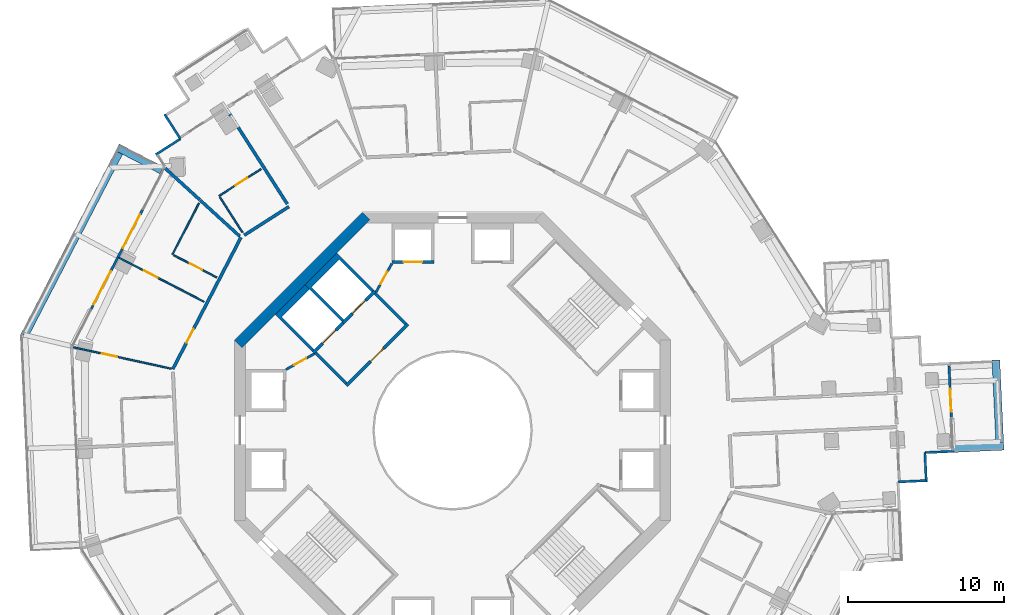
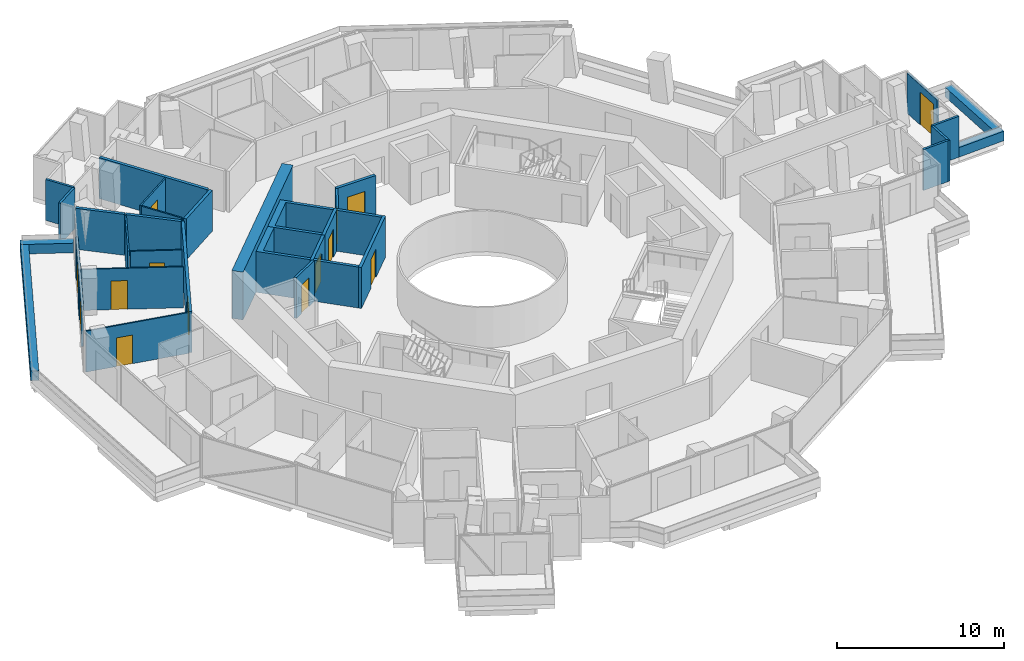
# One storey, part 17 of 22: 34 walls, 14 doors, 14 openings.
"""IFC4 building model written with IfcOpenShell, lengths in metres."""

from ifc_helpers import new_model, si_unit, direction, frame, frame_2d, origin, place, context, subcontext, project, spatial, polyline, rectangle, outline, extrude, material, layer, layer_set, type_object, element, fill, save


model = new_model("IFC4")

# Units and contexts
model_context = context("Model", 3, precision=1e-05, world=origin(), true_north=direction((0.0, 1.0)))
body_context = subcontext(model_context, "Body", "Model", "MODEL_VIEW")
ifc_project = project(units=[si_unit("LENGTHUNIT", "METRE"), si_unit("AREAUNIT", "SQUARE_METRE"), si_unit("VOLUMEUNIT", "CUBIC_METRE"), si_unit("PLANEANGLEUNIT", "RADIAN"), si_unit("MASSUNIT", "GRAM", prefix="KILO")], contexts=[model_context])

# Site, building, storey
site_placement = place(None, origin())
site = spatial("IfcSite", under=ifc_project, at=site_placement, CompositionType="ELEMENT")
building_placement = place(site_placement, origin())
building = spatial("IfcBuilding", under=site, at=building_placement, Name="Verdalira Terraces Hotel", CompositionType="ELEMENT")
storey_placement = place(building_placement, frame((0.0, 0.0, 165.5)))
storey = spatial("IfcBuildingStorey", under=building, at=storey_placement, Name="L40", CompositionType="ELEMENT", Elevation=165.5)

# Walls
ifc_material_1 = material(Name="Concrete C40", Category="concrete")
ifc_layer_1 = layer(ifc_material_1, 0.5)
ifc_layer_set_1 = layer_set([ifc_layer_1], Name="Balcony planter trough with tree")
wall_type_1 = type_object("IfcWallType", Name="Balcony planter trough with tree", PredefinedType="SOLIDWALL", material=ifc_layer_set_1)
wall_1_placement = place(storey_placement, frame((-18.67334, 16.699951, 0.0), z_axis=(0.0, 0.0, 1.0), x_axis=(-0.888128492, 0.459595237, 0.0)))
element("IfcWall", 1, at=wall_1_placement, inside=storey, type_object=wall_type_1, Name="Balcony planter", PredefinedType="SOLIDWALL", context=body_context, shape_type="SweptSolid", body=[
    extrude(rectangle(XDim=3.198975, YDim=0.5, at=frame_2d((1.599609, 0.0))), origin(), (0.0, 0.0, 1.0), 0.699951),
])
wall_2_placement = place(storey_placement, frame((-21.407227, 17.833252, 0.0), z_axis=(0.0, 0.0, 1.0), x_axis=(-0.459570076, -0.888141512, 0.0)))
element("IfcWall", 2, at=wall_2_placement, inside=storey, type_object=wall_type_1, Name="Balcony planter", PredefinedType="SOLIDWALL", context=body_context, shape_type="SweptSolid", body=[
    extrude(rectangle(XDim=13.223633, YDim=0.5, at=frame_2d((6.611816, 0.0))), origin(), (0.0, 0.0, 1.0), 0.699951),
])
wall_3_placement = place(storey_placement, frame((32.187744, -1.168701, 0.0), z_axis=(0.0, 0.0, 1.0), x_axis=(0.998936988, 0.046096565, 0.0)))
element("IfcWall", 3, at=wall_3_placement, inside=storey, type_object=wall_type_1, Name="Balcony planter", PredefinedType="SOLIDWALL", context=body_context, shape_type="SweptSolid", body=[
    extrude(rectangle(XDim=3.198975, YDim=0.5, at=frame_2d((1.599609, 0.0))), origin(), (0.0, 0.0, 1.0), 0.699951),
])
wall_4_placement = place(storey_placement, frame((35.12207, -0.783203, 0.0), z_axis=(0.0, 0.0, 1.0), x_axis=(-0.046063751, 0.998938502, 0.0)))
element("IfcWall", 4, at=wall_4_placement, inside=storey, type_object=wall_type_1, Name="Balcony planter", PredefinedType="SOLIDWALL", context=body_context, shape_type="SweptSolid", body=[
    extrude(rectangle(XDim=5.300049, YDim=0.5, at=frame_2d((2.649902, 0.0))), origin(), (0.0, 0.0, 1.0), 0.699951),
])

# Wall, opening, door
ifc_material_2 = material(Name="Moisture-resistant gypsum board partition")
ifc_layer_2 = layer(ifc_material_2, 0.10009765625)
ifc_layer_set_2 = layer_set([ifc_layer_2], Name="Bathroom partition 100 mm")
wall_type_2 = type_object("IfcWallType", Name="Bathroom partition 100 mm", PredefinedType="PARTITIONING", material=ifc_layer_set_2)
wall_5_placement = place(storey_placement, frame((-18.059814, 3.95752, 0.0), z_axis=(0.0, 0.0, 1.0), x_axis=(-0.976827652, 0.214027425, 0.0)))
wall_5 = element("IfcWall", 5, at=wall_5_placement, inside=storey, type_object=wall_type_2, Name="Bathroom partition", PredefinedType="PARTITIONING", context=body_context, shape_type="SweptSolid", body=[
    extrude(rectangle(XDim=6.47583, YDim=0.100098, at=frame_2d((3.237793, 0.0))), origin(), (0.0, 0.0, 1.0), 3.0),
])
opening_1_placement = place(wall_5_placement, frame((3.550049, 0.0, 0.0)))
opening_1 = element("IfcOpeningElement", 6, at=opening_1_placement, cuts=wall_5, Name="Opening L40-108", PredefinedType="OPENING", context=body_context, shape_type="SweptSolid", body=[
    extrude(rectangle(XDim=1.0, YDim=2.100098, at=frame_2d((0.5, 1.050049))), frame((0.0, 0.060059, 0.0), z_axis=(0.0, -1.0, 0.0), x_axis=(1.0, 0.0, 0.0)), (0.0, 0.0, 1.0), 0.120117),
])
ifc_material_3 = material(Name="Timber door", Category="wood")
door_type_1 = type_object("IfcDoorType", Name="Suite internal door 1000 x 2100", OperationType="NOTDEFINED", PredefinedType="DOOR", material=ifc_material_3)
door_1_placement = place(opening_1_placement, origin())
door_1 = element("IfcDoor", 7, at=door_1_placement, inside=storey, type_object=door_type_1, Name="Suite internal door 4002", OperationType="SINGLE_SWING_LEFT", OverallHeight=2.10009765625, OverallWidth=1.0, PredefinedType="DOOR", context=body_context, shape_type="SweptSolid", body=[
    extrude(rectangle(XDim=1.0, YDim=2.100098, at=frame_2d((0.5, 1.050049))), frame((0.0, 0.024902, 0.0), z_axis=(0.0, -1.0, 0.0), x_axis=(1.0, 0.0, 0.0)), (0.0, 0.0, 1.0), 0.050049),
])
fill(opening_1, door_1)

wall_6_placement = place(storey_placement, frame((-21.411621, 11.07959, 0.0), z_axis=(0.0, 0.0, 1.0), x_axis=(0.888156748, -0.45954063, 0.0)))
wall_6 = element("IfcWall", 8, at=wall_6_placement, inside=storey, type_object=wall_type_2, Name="Bathroom partition", PredefinedType="PARTITIONING", context=body_context, shape_type="SweptSolid", body=[
    extrude(rectangle(XDim=6.149902, YDim=0.100098, at=frame_2d((3.074951, 0.0))), origin(), (0.0, 0.0, 1.0), 3.0),
])
opening_2_placement = place(wall_6_placement, frame((1.800049, 0.0, 0.0)))
opening_2 = element("IfcOpeningElement", 9, at=opening_2_placement, cuts=wall_6, Name="Opening L40-107", PredefinedType="OPENING", context=body_context, shape_type="SweptSolid", body=[
    extrude(rectangle(XDim=1.0, YDim=2.100098, at=frame_2d((0.5, 1.050049))), frame((0.0, 0.060059, 0.0), z_axis=(0.0, -1.0, 0.0), x_axis=(1.0, 0.0, 0.0)), (0.0, 0.0, 1.0), 0.120117),
])
door_2_placement = place(opening_2_placement, origin())
door_2 = element("IfcDoor", 10, at=door_2_placement, inside=storey, type_object=door_type_1, Name="Suite internal door 4002", OperationType="SINGLE_SWING_LEFT", OverallHeight=2.10009765625, OverallWidth=1.0, PredefinedType="DOOR", context=body_context, shape_type="SweptSolid", body=[
    extrude(rectangle(XDim=1.0, YDim=2.100098, at=frame_2d((0.5, 1.050049))), frame((0.0, 0.024902, 0.0), z_axis=(0.0, -1.0, 0.0), x_axis=(1.0, 0.0, 0.0)), (0.0, 0.0, 1.0), 0.050049),
])
fill(opening_2, door_2)

# Wall
wall_7_placement = place(storey_placement, frame((-16.281006, 14.575195, 0.0), z_axis=(0.0, 0.0, 1.0), x_axis=(-0.459614775, -0.888118381, 0.0)))
element("IfcWall", 11, at=wall_7_placement, inside=storey, type_object=wall_type_2, Name="Bathroom partition", PredefinedType="PARTITIONING", context=body_context, shape_type="SweptSolid", body=[
    extrude(rectangle(XDim=3.703857, YDim=0.100098, at=frame_2d((1.852051, 0.0))), origin(), (0.0, 0.0, 1.0), 3.0),
])

# Wall, opening, door
wall_8_placement = place(storey_placement, frame((-17.894531, 11.239502, 0.0), z_axis=(0.0, 0.0, 1.0), x_axis=(0.88815114, -0.459551468, 0.0)))
wall_8 = element("IfcWall", 12, at=wall_8_placement, inside=storey, type_object=wall_type_2, Name="Bathroom partition", PredefinedType="PARTITIONING", context=body_context, shape_type="SweptSolid", body=[
    extrude(rectangle(XDim=3.099854, YDim=0.100098, at=frame_2d((1.549805, 0.0))), origin(), (0.0, 0.0, 1.0), 3.0),
])
opening_3_placement = place(wall_8_placement, frame((1.149902, 0.0, 0.0)))
opening_3 = element("IfcOpeningElement", 13, at=opening_3_placement, cuts=wall_8, Name="Opening L40-109", PredefinedType="OPENING", context=body_context, shape_type="SweptSolid", body=[
    extrude(rectangle(XDim=0.899902, YDim=2.100098, at=frame_2d((0.449951, 1.050049))), frame((0.0, 0.060059, 0.0), z_axis=(0.0, -1.0, 0.0), x_axis=(1.0, 0.0, 0.0)), (0.0, 0.0, 1.0), 0.120117),
])
ifc_material_4 = material(Name="Timber door", Category="wood")
door_type_2 = type_object("IfcDoorType", Name="Bathroom door 900 x 2100", OperationType="NOTDEFINED", PredefinedType="DOOR", material=ifc_material_4)
door_3_placement = place(opening_3_placement, origin())
door_3 = element("IfcDoor", 14, at=door_3_placement, inside=storey, type_object=door_type_2, Name="Bathroom door 4002", OperationType="SINGLE_SWING_LEFT", OverallHeight=2.10009765625, OverallWidth=0.89990234375, PredefinedType="DOOR", context=body_context, shape_type="SweptSolid", body=[
    extrude(rectangle(XDim=0.899902, YDim=2.100098, at=frame_2d((0.449951, 1.050049))), frame((0.0, 0.024902, 0.0), z_axis=(0.0, -1.0, 0.0), x_axis=(1.0, 0.0, 0.0)), (0.0, 0.0, 1.0), 0.050049),
])
fill(opening_3, door_3)

# Wall
wall_9_placement = place(storey_placement, frame((-14.931641, 14.96875, 0.0), z_axis=(0.0, 0.0, 1.0), x_axis=(0.539394933, -0.842052912, 0.0)))
element("IfcWall", 15, at=wall_9_placement, inside=storey, type_object=wall_type_2, Name="Bathroom partition", PredefinedType="PARTITIONING", context=body_context, shape_type="SweptSolid", body=[
    extrude(rectangle(XDim=2.699951, YDim=0.100098, at=frame_2d((1.350098, 0.0))), origin(), (0.0, 0.0, 1.0), 3.0),
])

# Wall, opening, door
wall_10_placement = place(storey_placement, frame((-12.291016, 16.778809, 0.0), z_axis=(0.0, 0.0, 1.0), x_axis=(-0.842087061, -0.539341618, 0.0)))
wall_10 = element("IfcWall", 16, at=wall_10_placement, inside=storey, type_object=wall_type_2, Name="Bathroom partition", PredefinedType="PARTITIONING", context=body_context, shape_type="SweptSolid", body=[
    extrude(rectangle(XDim=3.199951, YDim=0.100098, at=frame_2d((1.600098, 0.0))), origin(), (0.0, 0.0, 1.0), 3.0),
])
opening_4_placement = place(wall_10_placement, frame((1.050049, 0.0, 0.0)))
opening_4 = element("IfcOpeningElement", 17, at=opening_4_placement, cuts=wall_10, Name="Opening L40-105", PredefinedType="OPENING", context=body_context, shape_type="SweptSolid", body=[
    extrude(rectangle(XDim=0.899902, YDim=2.100098, at=frame_2d((0.449951, 1.050049))), frame((0.0, 0.060059, 0.0), z_axis=(0.0, -1.0, 0.0), x_axis=(1.0, 0.0, 0.0)), (0.0, 0.0, 1.0), 0.120117),
])
door_4_placement = place(opening_4_placement, origin())
door_4 = element("IfcDoor", 18, at=door_4_placement, inside=storey, type_object=door_type_2, Name="Bathroom door 4001", OperationType="SINGLE_SWING_RIGHT", OverallHeight=2.10009765625, OverallWidth=0.89990234375, PredefinedType="DOOR", context=body_context, shape_type="SweptSolid", body=[
    extrude(rectangle(XDim=0.899902, YDim=2.100098, at=frame_2d((0.449951, 1.050049))), frame((0.0, 0.024902, 0.0), z_axis=(0.0, -1.0, 0.0), x_axis=(1.0, 0.0, 0.0)), (0.0, 0.0, 1.0), 0.050049),
])
fill(opening_4, door_4)

ifc_material_5 = material(Name="Concrete C50", Category="concrete")
ifc_layer_3 = layer(ifc_material_5, 0.199951171875)
ifc_layer_set_3 = layer_set([ifc_layer_3], Name="Core RC wall 200 C50")
wall_type_3 = type_object("IfcWallType", Name="Core RC wall 200 C50", PredefinedType="SOLIDWALL", material=ifc_layer_set_3)
wall_11_placement = place(storey_placement, frame((-1.199951, 10.800049, 0.0), z_axis=(0.0, 0.0, 1.0), x_axis=(-1.0, 0.0, 0.0)))
wall_11 = element("IfcWall", 19, at=wall_11_placement, inside=storey, type_object=wall_type_3, Name="L40 shaft front wall N2", PredefinedType="SOLIDWALL", context=body_context, shape_type="SweptSolid", body=[
    extrude(rectangle(XDim=2.699951, YDim=0.199951, at=frame_2d((1.350098, 0.0))), origin(), (0.0, 0.0, 1.0), 3.0),
])
opening_5_placement = place(wall_11_placement, frame((0.75, 0.0, 0.0)))
opening_5 = element("IfcOpeningElement", 20, at=opening_5_placement, cuts=wall_11, Name="Opening LD-L40-804", PredefinedType="OPENING", context=body_context, shape_type="SweptSolid", body=[
    extrude(rectangle(XDim=1.199951, YDim=2.100098, at=frame_2d((0.600098, 1.050049))), frame((0.0, 0.109863, 0.0), z_axis=(0.0, -1.0, 0.0), x_axis=(1.0, 0.0, 0.0)), (0.0, 0.0, 1.0), 0.219971),
])
ifc_material_6 = material(Name="Stainless steel", Category="steel")
door_type_3 = type_object("IfcDoorType", Name="Landing door 1200 x 2100", OperationType="NOTDEFINED", PredefinedType="DOOR", material=ifc_material_6)
door_5_placement = place(opening_5_placement, origin())
door_5 = element("IfcDoor", 21, at=door_5_placement, inside=storey, type_object=door_type_3, Name="Lift landing door LR4 L40", OperationType="DOUBLE_DOOR_SLIDING", OverallHeight=2.10009765625, OverallWidth=1.199951171875, PredefinedType="DOOR", context=body_context, shape_type="SweptSolid", body=[
    extrude(rectangle(XDim=1.199951, YDim=2.100098, at=frame_2d((0.600098, 1.050049))), frame((0.0, 0.024902, 0.0), z_axis=(0.0, -1.0, 0.0), x_axis=(1.0, 0.0, 0.0)), (0.0, 0.0, 1.0), 0.050049),
])
fill(opening_5, door_5)

# Wall
wall_12_placement = place(storey_placement, origin())
element("IfcWall", 22, at=wall_12_placement, inside=storey, type_object=wall_type_3, Name="L40 shaft wall F1", PredefinedType="SOLIDWALL", context=body_context, shape_type="SweptSolid", body=[
    extrude(outline(polyline([(-9.475098, 9.33374), (-7.424561, 11.384521), (-5.055908, 9.015625), (-5.197266, 8.874268), (-7.283203, 10.960205), (-9.051025, 9.192383), (-6.965088, 7.106445), (-7.106445, 6.965088), (-9.475098, 9.33374)])), origin(), (0.0, 0.0, 1.0), 3.0),
])

# Wall, opening, door
wall_13_placement = place(storey_placement, frame((-4.985107, 8.944824, 0.0), z_axis=(0.0, 0.0, 1.0), x_axis=(-0.707106781, -0.707106781, 0.0)))
wall_13 = element("IfcWall", 23, at=wall_13_placement, inside=storey, type_object=wall_type_3, Name="L40 shaft front wall F1", PredefinedType="SOLIDWALL", context=body_context, shape_type="SweptSolid", body=[
    extrude(rectangle(XDim=2.899902, YDim=0.199951, at=frame_2d((1.449951, 0.0))), origin(), (0.0, 0.0, 1.0), 3.0),
])
opening_6_placement = place(wall_13_placement, frame((0.850098, 0.0, 0.0)))
opening_6 = element("IfcOpeningElement", 24, at=opening_6_placement, cuts=wall_13, Name="Opening LD-L40-807", PredefinedType="OPENING", context=body_context, shape_type="SweptSolid", body=[
    extrude(rectangle(XDim=1.199951, YDim=2.100098, at=frame_2d((0.600098, 1.050049))), frame((0.0, 0.109863, 0.0), z_axis=(0.0, -1.0, 0.0), x_axis=(1.0, 0.0, 0.0)), (0.0, 0.0, 1.0), 0.219971),
])
door_6_placement = place(opening_6_placement, origin())
door_6 = element("IfcDoor", 25, at=door_6_placement, inside=storey, type_object=door_type_3, Name="Lift landing door LF11 L40", OperationType="DOUBLE_DOOR_SLIDING", OverallHeight=2.10009765625, OverallWidth=1.199951171875, PredefinedType="DOOR", context=body_context, shape_type="SweptSolid", body=[
    extrude(rectangle(XDim=1.199951, YDim=2.100098, at=frame_2d((0.600098, 1.050049))), frame((0.0, 0.024902, 0.0), z_axis=(0.0, -1.0, 0.0), x_axis=(1.0, 0.0, 0.0)), (0.0, 0.0, 1.0), 0.050049),
])
fill(opening_6, door_6)

# Wall
wall_14_placement = place(storey_placement, origin())
element("IfcWall", 26, at=wall_14_placement, inside=storey, type_object=wall_type_3, Name="L40 shaft wall F2", PredefinedType="SOLIDWALL", context=body_context, shape_type="SweptSolid", body=[
    extrude(outline(polyline([(-11.384521, 7.424561), (-9.475098, 9.33374), (-9.192383, 9.051025), (-10.960205, 7.283203), (-8.874268, 5.197266), (-9.015625, 5.055908), (-11.384521, 7.424561)])), origin(), (0.0, 0.0, 1.0), 3.0),
])

# Wall, opening, door
wall_15_placement = place(storey_placement, frame((-7.035645, 6.894287, 0.0), z_axis=(0.0, 0.0, 1.0), x_axis=(-0.707106781, -0.707106781, 0.0)))
wall_15 = element("IfcWall", 27, at=wall_15_placement, inside=storey, type_object=wall_type_3, Name="L40 shaft front wall F2", PredefinedType="SOLIDWALL", context=body_context, shape_type="SweptSolid", body=[
    extrude(rectangle(XDim=2.699951, YDim=0.199951, at=frame_2d((1.350098, 0.0))), origin(), (0.0, 0.0, 1.0), 3.0),
])
opening_7_placement = place(wall_15_placement, frame((0.649902, 0.0, 0.0)))
opening_7 = element("IfcOpeningElement", 28, at=opening_7_placement, cuts=wall_15, Name="Opening LD-L40-808", PredefinedType="OPENING", context=body_context, shape_type="SweptSolid", body=[
    extrude(rectangle(XDim=1.199951, YDim=2.100098, at=frame_2d((0.600098, 1.050049))), frame((0.0, 0.109863, 0.0), z_axis=(0.0, -1.0, 0.0), x_axis=(1.0, 0.0, 0.0)), (0.0, 0.0, 1.0), 0.219971),
])
door_7_placement = place(opening_7_placement, origin())
door_7 = element("IfcDoor", 29, at=door_7_placement, inside=storey, type_object=door_type_3, Name="Lift landing door LF12 L40", OperationType="DOUBLE_DOOR_SLIDING", OverallHeight=2.10009765625, OverallWidth=1.199951171875, PredefinedType="DOOR", context=body_context, shape_type="SweptSolid", body=[
    extrude(rectangle(XDim=1.199951, YDim=2.100098, at=frame_2d((0.600098, 1.050049))), frame((0.0, 0.024902, 0.0), z_axis=(0.0, -1.0, 0.0), x_axis=(1.0, 0.0, 0.0)), (0.0, 0.0, 1.0), 0.050049),
])
fill(opening_7, door_7)

wall_16_placement = place(storey_placement, frame((-2.86377, 6.823486, 0.0), z_axis=(0.0, 0.0, 1.0), x_axis=(-0.707106781, -0.707106781, 0.0)))
wall_16 = element("IfcWall", 30, at=wall_16_placement, inside=storey, type_object=wall_type_3, Name="L40 fire lobby wall", PredefinedType="SOLIDWALL", context=body_context, shape_type="SweptSolid", body=[
    extrude(rectangle(XDim=5.599854, YDim=0.199951, at=frame_2d((2.799805, 0.0))), origin(), (0.0, 0.0, 1.0), 3.0),
])
opening_8_placement = place(wall_16_placement, frame((2.199951, 0.0, 0.0)))
opening_8 = element("IfcOpeningElement", 31, at=opening_8_placement, cuts=wall_16, Name="Opening L40-819", PredefinedType="OPENING", context=body_context, shape_type="SweptSolid", body=[
    extrude(rectangle(XDim=1.199951, YDim=2.100098, at=frame_2d((0.600098, 1.050049))), frame((0.0, 0.109863, 0.0), z_axis=(0.0, -1.0, 0.0), x_axis=(1.0, 0.0, 0.0)), (0.0, 0.0, 1.0), 0.219971),
])
ifc_material_7 = material(Name="Steel fire door", Category="steel")
door_type_4 = type_object("IfcDoorType", Name="Lobby door 1200 x 2100", OperationType="NOTDEFINED", PredefinedType="DOOR", material=ifc_material_7)
door_8_placement = place(opening_8_placement, origin())
door_8 = element("IfcDoor", 32, at=door_8_placement, inside=storey, type_object=door_type_4, Name="Fire lobby door L40", OperationType="SINGLE_SWING_LEFT", OverallHeight=2.10009765625, OverallWidth=1.199951171875, PredefinedType="DOOR", context=body_context, shape_type="SweptSolid", body=[
    extrude(rectangle(XDim=1.199951, YDim=2.100098, at=frame_2d((0.600098, 1.050049))), frame((0.0, 0.024902, 0.0), z_axis=(0.0, -1.0, 0.0), x_axis=(1.0, 0.0, 0.0)), (0.0, 0.0, 1.0), 0.050049),
])
fill(opening_8, door_8)

# Walls
for number, where, z_axis, x_axis, name in (
    (33, (-3.005127, 6.823486, 0.0), (0.0, 0.0, 1.0), (-0.707106781, 0.707106781, 0.0), "L40 fire lobby wall"),
    (34, (-6.823486, 3.005127, 0.0), (0.0, 0.0, 1.0), (-0.707106781, 0.707106781, 0.0), "L40 fire lobby wall"),
):
    element("IfcWall", number, at=place(storey_placement, frame(where, z_axis=z_axis, x_axis=x_axis)), inside=storey, type_object=wall_type_3, Name=name, PredefinedType="SOLIDWALL", context=body_context, shape_type="SweptSolid", body=[
        extrude(rectangle(XDim=2.800049, YDim=0.199951, at=frame_2d((1.399902, 0.0))), origin(), (0.0, 0.0, 1.0), 3.0),
    ])

# Wall, opening, door
ifc_material_8 = material(Name="Gypsum board partition")
ifc_layer_4 = layer(ifc_material_8, 0.14990234375)
ifc_layer_set_4 = layer_set([ifc_layer_4], Name="Core partition 150 mm")
wall_type_4 = type_object("IfcWallType", Name="Core partition 150 mm", PredefinedType="PARTITIONING", material=ifc_layer_set_4)
wall_17_placement = place(storey_placement, frame((-3.899902, 10.699951, 0.0), z_axis=(0.0, 0.0, 1.0), x_axis=(-0.485692555, -0.874129705, 0.0)))
wall_17 = element("IfcWall", 35, at=wall_17_placement, inside=storey, type_object=wall_type_4, Name="Room partition L40", PredefinedType="PARTITIONING", context=body_context, shape_type="SweptSolid", body=[
    extrude(rectangle(XDim=2.088623, YDim=0.149902, at=frame_2d((1.044434, 0.0))), origin(), (0.0, 0.0, 1.0), 3.0),
])
opening_9_placement = place(wall_17_placement, frame((0.594238, 0.0, 0.0)))
opening_9 = element("IfcOpeningElement", 36, at=opening_9_placement, cuts=wall_17, Name="Opening L40-820", PredefinedType="OPENING", context=body_context, shape_type="SweptSolid", body=[
    extrude(rectangle(XDim=0.899902, YDim=2.100098, at=frame_2d((0.449951, 1.050049))), frame((0.0, 0.084961, 0.0), z_axis=(0.0, -1.0, 0.0), x_axis=(1.0, 0.0, 0.0)), (0.0, 0.0, 1.0), 0.169922),
])
ifc_material_9 = material(Name="Steel fire door", Category="steel")
door_type_5 = type_object("IfcDoorType", Name="Core room door 900 x 2100", OperationType="NOTDEFINED", PredefinedType="DOOR", material=ifc_material_9)
door_9_placement = place(opening_9_placement, origin())
door_9 = element("IfcDoor", 37, at=door_9_placement, inside=storey, type_object=door_type_5, Name="Door L40 room2", OperationType="SINGLE_SWING_LEFT", OverallHeight=2.10009765625, OverallWidth=0.89990234375, PredefinedType="DOOR", context=body_context, shape_type="SweptSolid", body=[
    extrude(rectangle(XDim=0.899902, YDim=2.100098, at=frame_2d((0.449951, 1.050049))), frame((0.0, 0.024902, 0.0), z_axis=(0.0, -1.0, 0.0), x_axis=(1.0, 0.0, 0.0)), (0.0, 0.0, 1.0), 0.050049),
])
fill(opening_9, door_9)

wall_18_placement = place(storey_placement, frame((-8.874268, 4.914307, 0.0), z_axis=(0.0, 0.0, 1.0), x_axis=(-0.874129705, -0.485692555, 0.0)))
wall_18 = element("IfcWall", 38, at=wall_18_placement, inside=storey, type_object=wall_type_4, Name="Room partition L40", PredefinedType="PARTITIONING", context=body_context, shape_type="SweptSolid", body=[
    extrude(rectangle(XDim=2.088623, YDim=0.149902, at=frame_2d((1.044434, 0.0))), origin(), (0.0, 0.0, 1.0), 3.0),
])
opening_10_placement = place(wall_18_placement, frame((0.594238, 0.0, 0.0)))
opening_10 = element("IfcOpeningElement", 39, at=opening_10_placement, cuts=wall_18, Name="Opening L40-821", PredefinedType="OPENING", context=body_context, shape_type="SweptSolid", body=[
    extrude(rectangle(XDim=0.899902, YDim=2.100098, at=frame_2d((0.449951, 1.050049))), frame((0.0, 0.084961, 0.0), z_axis=(0.0, -1.0, 0.0), x_axis=(1.0, 0.0, 0.0)), (0.0, 0.0, 1.0), 0.169922),
])
door_10_placement = place(opening_10_placement, origin())
door_10 = element("IfcDoor", 40, at=door_10_placement, inside=storey, type_object=door_type_5, Name="Door L40 room3", OperationType="SINGLE_SWING_LEFT", OverallHeight=2.10009765625, OverallWidth=0.89990234375, PredefinedType="DOOR", context=body_context, shape_type="SweptSolid", body=[
    extrude(rectangle(XDim=0.899902, YDim=2.100098, at=frame_2d((0.449951, 1.050049))), frame((0.0, 0.024902, 0.0), z_axis=(0.0, -1.0, 0.0), x_axis=(1.0, 0.0, 0.0)), (0.0, 0.0, 1.0), 0.050049),
])
fill(opening_10, door_10)

# Walls
ifc_material_10 = material(Name="Concrete C60", Category="concrete")
ifc_layer_5 = layer(ifc_material_10, 0.699951171875)
ifc_layer_set_5 = layer_set([ifc_layer_5], Name="Core wall 700 C60")
wall_type_5 = type_object("IfcWallType", Name="Core wall 700 C60", PredefinedType="SHEAR", material=ifc_layer_set_5)
wall_19_placement = place(storey_placement, frame((-5.551514, 13.752441, 0.0), z_axis=(0.0, 0.0, 1.0), x_axis=(-0.707106781, -0.707106781, 0.0)))
element("IfcWall", 41, at=wall_19_placement, inside=storey, type_object=wall_type_5, Name="Core wall CW-L40-4", PredefinedType="SHEAR", context=body_context, shape_type="SweptSolid", body=[
    extrude(rectangle(XDim=11.5979, YDim=0.699951, at=frame_2d((5.798828, 0.0))), origin(), (0.0, 0.0, 1.0), 3.5),
])
ifc_material_11 = material(Name="Fire-rated gypsum board wall")
ifc_layer_6 = layer(ifc_material_11, 0.199951171875)
ifc_layer_set_6 = layer_set([ifc_layer_6], Name="Demising wall 200 mm")
wall_type_6 = type_object("IfcWallType", Name="Demising wall 200 mm", PredefinedType="SOLIDWALL", material=ifc_layer_set_6)
wall_20_placement = place(storey_placement, frame((-16.221436, 14.791504, 0.0), z_axis=(0.0, 0.0, 1.0), x_axis=(-0.738908354, 0.673805939, 0.0)))
element("IfcWall", 42, at=wall_20_placement, inside=storey, type_object=wall_type_6, Name="Demising wall", PredefinedType="SOLIDWALL", context=body_context, shape_type="SweptSolid", body=[
    extrude(rectangle(XDim=3.01123, YDim=0.199951, at=frame_2d((1.505615, 0.0))), origin(), (0.0, 0.0, 1.0), 3.0),
])
wall_21_placement = place(storey_placement, frame((-13.661621, 12.457275, 0.0), z_axis=(0.0, 0.0, 1.0), x_axis=(-0.738924468, 0.673788269, 0.0)))
element("IfcWall", 43, at=wall_21_placement, inside=storey, type_object=wall_type_6, Name="Demising wall", PredefinedType="SOLIDWALL", context=body_context, shape_type="SweptSolid", body=[
    extrude(rectangle(XDim=3.418213, YDim=0.199951, at=frame_2d((1.708984, 0.0))), origin(), (0.0, 0.0, 1.0), 3.0),
])

# Wall, opening, door
ifc_material_12 = material(Name="Fire-rated gypsum board wall")
ifc_layer_7 = layer(ifc_material_12, 0.199951171875)
ifc_layer_set_7 = layer_set([ifc_layer_7], Name="Guest corridor wall 200 mm")
wall_type_7 = type_object("IfcWallType", Name="Guest corridor wall 200 mm", PredefinedType="SOLIDWALL", material=ifc_layer_set_7)
wall_22_placement = place(storey_placement, frame((-17.95874, 3.935303, 0.0), z_axis=(0.0, 0.0, 1.0), x_axis=(0.459586917, 0.888132797, 0.0)))
wall_22 = element("IfcWall", 44, at=wall_22_placement, inside=storey, type_object=wall_type_7, Name="Guest corridor wall", PredefinedType="SOLIDWALL", context=body_context, shape_type="SweptSolid", body=[
    extrude(rectangle(XDim=9.516846, YDim=0.199951, at=frame_2d((4.758301, 0.0))), origin(), (0.0, 0.0, 1.0), 3.0),
])
opening_11_placement = place(wall_22_placement, frame((1.899902, 0.0, 0.0)))
opening_11 = element("IfcOpeningElement", 45, at=opening_11_placement, cuts=wall_22, Name="Opening L40-106", PredefinedType="OPENING", context=body_context, shape_type="SweptSolid", body=[
    extrude(rectangle(XDim=1.0, YDim=2.100098, at=frame_2d((0.5, 1.050049))), frame((0.0, 0.109863, 0.0), z_axis=(0.0, -1.0, 0.0), x_axis=(1.0, 0.0, 0.0)), (0.0, 0.0, 1.0), 0.219971),
])
ifc_material_13 = material(Name="Timber fire door", Category="wood")
door_type_6 = type_object("IfcDoorType", Name="Guest entry door 1000 x 2100", OperationType="NOTDEFINED", PredefinedType="DOOR", material=ifc_material_13)
door_11_placement = place(opening_11_placement, origin())
door_11 = element("IfcDoor", 46, at=door_11_placement, inside=storey, type_object=door_type_6, Name="Guest entry door 4002", OperationType="SINGLE_SWING_LEFT", OverallHeight=2.10009765625, OverallWidth=1.0, PredefinedType="DOOR", context=body_context, shape_type="SweptSolid", body=[
    extrude(rectangle(XDim=1.0, YDim=2.100098, at=frame_2d((0.5, 1.050049))), frame((0.0, 0.024902, 0.0), z_axis=(0.0, -1.0, 0.0), x_axis=(1.0, 0.0, 0.0)), (0.0, 0.0, 1.0), 0.050049),
])
fill(opening_11, door_11)

# Walls
wall_23_placement = place(storey_placement, frame((-14.549561, 20.676025, 0.0), z_axis=(0.0, 0.0, 1.0), x_axis=(0.539364002, -0.842072725, 0.0)))
element("IfcWall", 47, at=wall_23_placement, inside=storey, type_object=wall_type_7, Name="Guest corridor wall", PredefinedType="SOLIDWALL", context=body_context, shape_type="SweptSolid", body=[
    extrude(rectangle(XDim=7.299805, YDim=0.199951, at=frame_2d((3.649902, 0.0))), origin(), (0.0, 0.0, 1.0), 3.0),
])
wall_24_placement = place(storey_placement, frame((-10.504395, 14.360596, 0.0), z_axis=(0.0, 0.0, 1.0), x_axis=(-0.842084863, -0.53934505, 0.0)))
element("IfcWall", 48, at=wall_24_placement, inside=storey, type_object=wall_type_7, Name="Guest corridor wall", PredefinedType="SOLIDWALL", context=body_context, shape_type="SweptSolid", body=[
    extrude(rectangle(XDim=3.399902, YDim=0.199951, at=frame_2d((1.699951, 0.0))), origin(), (0.0, 0.0, 1.0), 3.0),
])
ifc_material_14 = material(Name="Terracotta cladding", Category="masonry")
ifc_layer_8 = layer(ifc_material_14, 0.14990234375)
ifc_layer_set_8 = layer_set([ifc_layer_8], Name="Terracotta clad wall 150")
wall_type_8 = type_object("IfcWallType", Name="Terracotta clad wall 150", PredefinedType="SOLIDWALL", material=ifc_layer_set_8)
for number, where, z_axis, x_axis, name in (
    (49, (-18.48877, 20.290527, 0.0), (0.0, 0.0, 1.0), (0.539341877, -0.842086895, 0.0), "Terracotta cladding wall"),
    (50, (-17.477539, 18.71167, 0.0), (0.0, 0.0, 1.0), (-0.842086895, -0.539341877, 0.0), "Terracotta cladding wall"),
):
    element("IfcWall", number, at=place(storey_placement, frame(where, z_axis=z_axis, x_axis=x_axis)), inside=storey, type_object=wall_type_8, Name=name, PredefinedType="SOLIDWALL", context=body_context, shape_type="SweptSolid", body=[
        extrude(rectangle(XDim=1.875, YDim=0.149902, at=frame_2d((0.9375, 0.0))), origin(), (0.0, 0.0, 1.0), 3.0),
    ])
wall_25_placement = place(storey_placement, frame((28.606689, -3.310791, 0.0), z_axis=(0.0, 0.0, 1.0), x_axis=(0.998942368, 0.045979832, 0.0)))
element("IfcWall", 51, at=wall_25_placement, inside=storey, type_object=wall_type_8, Name="Terracotta cladding wall", PredefinedType="SOLIDWALL", context=body_context, shape_type="SweptSolid", body=[
    extrude(rectangle(XDim=1.800049, YDim=0.149902, at=frame_2d((0.899902, 0.0))), origin(), (0.0, 0.0, 1.0), 3.0),
])
for number, where, z_axis, x_axis, name in (
    (52, (30.408203, -3.302979, 0.0), (0.0, 0.0, 1.0), (-0.046092773, 0.998937163, 0.0), "Terracotta cladding wall"),
    (53, (30.321777, -1.429932, 0.0), (0.0, 0.0, 1.0), (0.998937163, 0.046092773, 0.0), "Terracotta cladding wall"),
):
    element("IfcWall", number, at=place(storey_placement, frame(where, z_axis=z_axis, x_axis=x_axis)), inside=storey, type_object=wall_type_8, Name=name, PredefinedType="SOLIDWALL", context=body_context, shape_type="SweptSolid", body=[
        extrude(rectangle(XDim=1.875, YDim=0.149902, at=frame_2d((0.9375, 0.0))), origin(), (0.0, 0.0, 1.0), 3.0),
    ])

# Wall, opening, door
ifc_material_15 = material(Name="Terracotta cladding", Category="masonry")
ifc_layer_9 = layer(ifc_material_15, 0.14990234375)
ifc_layer_set_9 = layer_set([ifc_layer_9], Name="Terracotta door pier 150")
wall_type_9 = type_object("IfcWallType", Name="Terracotta door pier 150", PredefinedType="SOLIDWALL", material=ifc_layer_set_9)
wall_26_placement = place(storey_placement, frame((-19.881104, 14.200439, 0.0), z_axis=(0.0, 0.0, 1.0), x_axis=(-0.459564354, -0.888144473, 0.0)))
wall_26 = element("IfcWall", 54, at=wall_26_placement, inside=storey, type_object=wall_type_9, Name="Terracotta door pier", PredefinedType="SOLIDWALL", context=body_context, shape_type="SweptSolid", body=[
    extrude(rectangle(XDim=3.474854, YDim=0.149902, at=frame_2d((1.737305, 0.0))), origin(), (0.0, 0.0, 1.0), 2.935059),
])
opening_12_placement = place(wall_26_placement, frame((0.399902, 0.0, 0.0)))
opening_12 = element("IfcOpeningElement", 55, at=opening_12_placement, cuts=wall_26, Name="Opening L40-B01", PredefinedType="OPENING", context=body_context, shape_type="SweptSolid", body=[
    extrude(rectangle(XDim=2.399902, YDim=2.399902, at=frame_2d((1.199951, 1.199951))), frame((0.0, 0.084961, 0.0), z_axis=(0.0, -1.0, 0.0), x_axis=(1.0, 0.0, 0.0)), (0.0, 0.0, 1.0), 0.169922),
])
ifc_material_16 = material(Name="Clear glass", Category="glass")
door_type_7 = type_object("IfcDoorType", Name="Balcony sliding door 2400x2400", OperationType="NOTDEFINED", PredefinedType="DOOR", material=ifc_material_16)
door_12_placement = place(opening_12_placement, origin())
door_12 = element("IfcDoor", 56, at=door_12_placement, inside=storey, type_object=door_type_7, Name="Balcony sliding door", OperationType="SLIDING_TO_RIGHT", OverallHeight=2.39990234375, OverallWidth=2.39990234375, PredefinedType="DOOR", context=body_context, shape_type="SweptSolid", body=[
    extrude(rectangle(XDim=2.399902, YDim=2.399902, at=frame_2d((1.199951, 1.199951))), frame((0.0, 0.024902, 0.0), z_axis=(0.0, -1.0, 0.0), x_axis=(1.0, 0.0, 0.0)), (0.0, 0.0, 1.0), 0.050049),
])
fill(opening_12, door_12)

wall_27_placement = place(storey_placement, frame((-21.478027, 11.114258, 0.0), z_axis=(0.0, 0.0, 1.0), x_axis=(-0.459588339, -0.888132062, 0.0)))
wall_27 = element("IfcWall", 57, at=wall_27_placement, inside=storey, type_object=wall_type_9, Name="Terracotta door pier", PredefinedType="SOLIDWALL", context=body_context, shape_type="SweptSolid", body=[
    extrude(rectangle(XDim=3.814209, YDim=0.149902, at=frame_2d((1.907227, 0.0))), origin(), (0.0, 0.0, 1.0), 2.935059),
])
opening_13_placement = place(wall_27_placement, frame((1.013916, 0.0, 0.0)))
opening_13 = element("IfcOpeningElement", 58, at=opening_13_placement, cuts=wall_27, Name="Opening L40-B02", PredefinedType="OPENING", context=body_context, shape_type="SweptSolid", body=[
    extrude(rectangle(XDim=2.399902, YDim=2.399902, at=frame_2d((1.199951, 1.199951))), frame((0.0, 0.084961, 0.0), z_axis=(0.0, -1.0, 0.0), x_axis=(1.0, 0.0, 0.0)), (0.0, 0.0, 1.0), 0.169922),
])
door_13_placement = place(opening_13_placement, origin())
door_13 = element("IfcDoor", 59, at=door_13_placement, inside=storey, type_object=door_type_7, Name="Balcony sliding door", OperationType="SLIDING_TO_LEFT", OverallHeight=2.39990234375, OverallWidth=2.39990234375, PredefinedType="DOOR", context=body_context, shape_type="SweptSolid", body=[
    extrude(rectangle(XDim=2.399902, YDim=2.399902, at=frame_2d((1.199951, 1.199951))), frame((0.0, 0.024902, 0.0), z_axis=(0.0, -1.0, 0.0), x_axis=(1.0, 0.0, 0.0)), (0.0, 0.0, 1.0), 0.050049),
])
fill(opening_13, door_13)

wall_28_placement = place(storey_placement, frame((32.021484, 0.785645, 0.0), z_axis=(0.0, 0.0, 1.0), x_axis=(-0.04606684, 0.99893836, 0.0)))
wall_28 = element("IfcWall", 60, at=wall_28_placement, inside=storey, type_object=wall_type_9, Name="Terracotta door pier", PredefinedType="SOLIDWALL", context=body_context, shape_type="SweptSolid", body=[
    extrude(rectangle(XDim=3.360107, YDim=0.149902, at=frame_2d((1.680176, 0.0))), origin(), (0.0, 0.0, 1.0), 2.935059),
])
opening_14_placement = place(wall_28_placement, frame((0.399902, 0.0, 0.0)))
opening_14 = element("IfcOpeningElement", 61, at=opening_14_placement, cuts=wall_28, Name="Opening L40-B11", PredefinedType="OPENING", context=body_context, shape_type="SweptSolid", body=[
    extrude(rectangle(XDim=1.5, YDim=2.399902, at=frame_2d((0.75, 1.199951))), frame((0.0, 0.084961, 0.0), z_axis=(0.0, -1.0, 0.0), x_axis=(1.0, 0.0, 0.0)), (0.0, 0.0, 1.0), 0.169922),
])
ifc_material_17 = material(Name="Clear glass", Category="glass")
door_type_8 = type_object("IfcDoorType", Name="Balcony sliding door 1500x2400", OperationType="NOTDEFINED", PredefinedType="DOOR", material=ifc_material_17)
door_14_placement = place(opening_14_placement, origin())
door_14 = element("IfcDoor", 62, at=door_14_placement, inside=storey, type_object=door_type_8, Name="Balcony sliding door", OperationType="SLIDING_TO_RIGHT", OverallHeight=2.39990234375, OverallWidth=1.5, PredefinedType="DOOR", context=body_context, shape_type="SweptSolid", body=[
    extrude(rectangle(XDim=1.5, YDim=2.399902, at=frame_2d((0.75, 1.199951))), frame((0.0, 0.024902, 0.0), z_axis=(0.0, -1.0, 0.0), x_axis=(1.0, 0.0, 0.0)), (0.0, 0.0, 1.0), 0.050049),
])
fill(opening_14, door_14)

save(model, "model.ifc")
